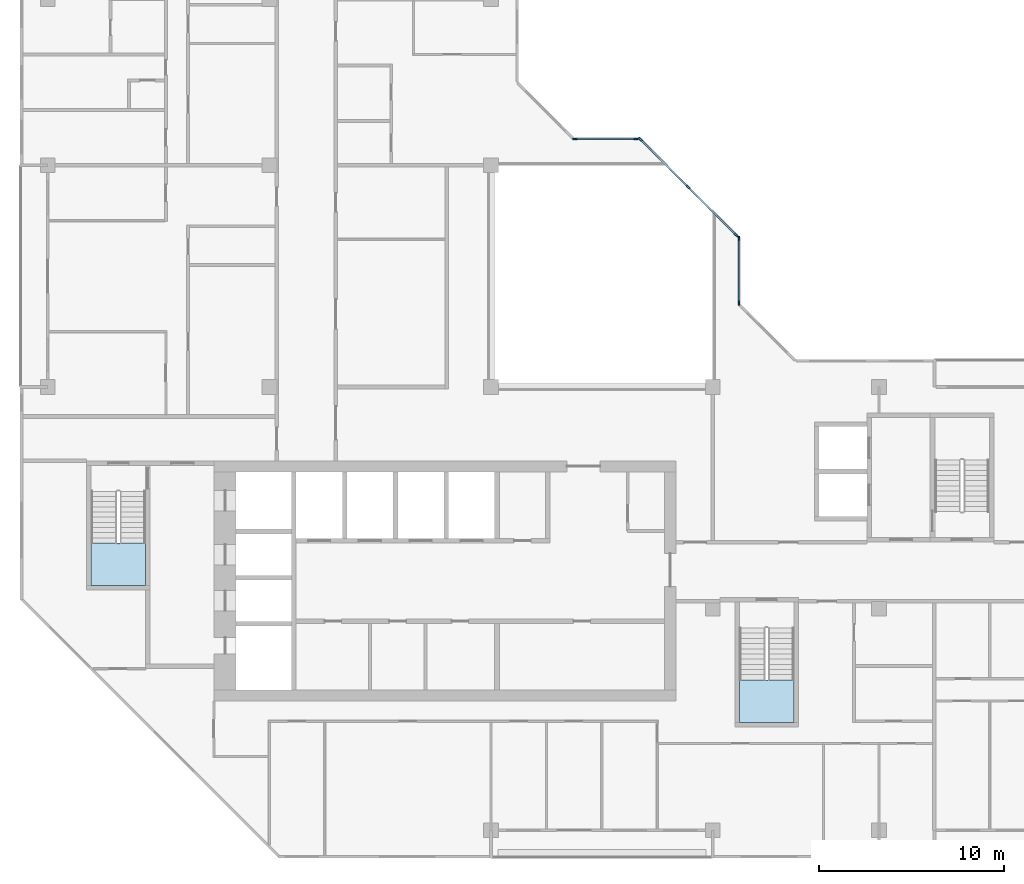
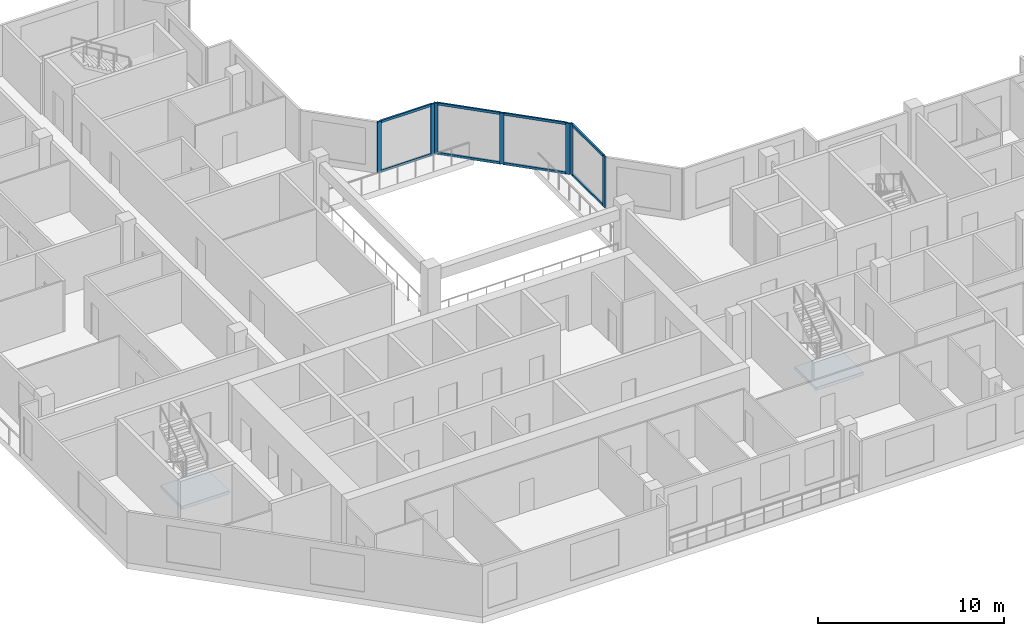
# One storey, part 2 of 13: 15 members, 2 slabs, 5 elements without a shape of their own.
"""IFC4 building model written with IfcOpenShell, lengths in metres."""

from ifc_helpers import new_model, si_unit, direction, frame, origin, origin_2d, place, context, subcontext, project, spatial, polyline, rectangle, outline, extrude, material, layer, layer_set, material_profile, profile_set, type_object, element, aggregate, save


model = new_model("IFC4")

# Units and contexts
model_context = context("Model", 3, precision=1e-05, world=origin(), true_north=direction((0.0, 1.0)))
body_context = subcontext(model_context, "Body", "Model", "MODEL_VIEW")
ifc_project = project(units=[si_unit("LENGTHUNIT", "METRE"), si_unit("AREAUNIT", "SQUARE_METRE"), si_unit("VOLUMEUNIT", "CUBIC_METRE"), si_unit("PLANEANGLEUNIT", "RADIAN"), si_unit("MASSUNIT", "GRAM", prefix="KILO")], contexts=[model_context])

# Site, building, storey
site_placement = place(None, origin())
site = spatial("IfcSite", under=ifc_project, at=site_placement, CompositionType="ELEMENT")
building_placement = place(site_placement, origin())
building = spatial("IfcBuilding", under=site, at=building_placement, Name="Chenar Terraces", CompositionType="ELEMENT")
storey_placement = place(building_placement, frame((0.0, 0.0, 292.14990234375)))
storey = spatial("IfcBuildingStorey", under=building, at=storey_placement, Name="L68", CompositionType="ELEMENT", Elevation=292.14990234375)

# Curtain wall, members
ifc_material_1 = material(Name="Aluminium framed glazing", Category="aluminium")
ifc_layer_1 = layer(ifc_material_1, 0.14990234375)
ifc_layer_set_1 = layer_set([ifc_layer_1], Name="Aluminium framed glazing")
curtain_wall_type = type_object("IfcCurtainWallType", Name="Atrium upper-zone curtain wall", PredefinedType="NOTDEFINED", material=ifc_layer_set_1)
placement_1 = place(storey_placement, origin())
curtain_wall_1 = element("IfcCurtainWall", 1, at=placement_1, inside=storey, type_object=curtain_wall_type, Name="Atrium upper-zone curtain wall", PredefinedType="NOTDEFINED")
ifc_material_2 = material(Name="Aluminium", Category="aluminium")
ifc_material_profile_1 = material_profile(ifc_material_2, rectangle(XDim=0.10009765625, YDim=0.239990234375, at=origin_2d()), Name="Atrium upper-zone glazing mullion 100 x 240")
ifc_profile_set_1 = profile_set([ifc_material_profile_1], Name="Aluminium")
member_type_1 = type_object("IfcMemberType", Name="Atrium upper-zone glazing mullion 100 x 240", PredefinedType="MULLION", material=ifc_profile_set_1)
member_1_placement = place(storey_placement, frame((37.425048828125, 28.550048828125, 0.0), z_axis=(0.0, 0.0, 1.0), x_axis=(-1.0, 0.0, 0.0)))
member_1 = element("IfcMember", 2, at=member_1_placement, type_object=member_type_1, Name="CW8-1 mullion 1", PredefinedType="MULLION", context=body_context, shape_type="SweptSolid", body=[
    extrude(rectangle(XDim=0.10009765625, YDim=0.239990234375, at=origin_2d()), origin(), (0.0, 0.0, 1.0), 3.35009765625),
])
member_2_placement = place(storey_placement, frame((37.425048828125, 32.050048828125, 0.0), z_axis=(0.0, 0.0, 1.0), x_axis=(-1.0, 0.0, 0.0)))
member_2 = element("IfcMember", 3, at=member_2_placement, type_object=member_type_1, Name="CW8-1 mullion 2", PredefinedType="MULLION", context=body_context, shape_type="SweptSolid", body=[
    extrude(rectangle(XDim=0.10009765625, YDim=0.239990234375, at=origin_2d()), origin(), (0.0, 0.0, 1.0), 3.35009765625),
])

curtain_wall_2 = element("IfcCurtainWall", 4, at=placement_1, inside=storey, type_object=curtain_wall_type, Name="Atrium upper-zone curtain wall", PredefinedType="NOTDEFINED")
member_3_placement = place(storey_placement, frame((37.270263671875, 32.2236328125, 0.0), z_axis=(0.0, 0.0, 1.0), x_axis=(-0.707106781187, -0.707106781187, 0.0)))
member_3 = element("IfcMember", 5, at=member_3_placement, type_object=member_type_1, Name="CW8-2 mullion 1", PredefinedType="MULLION", context=body_context, shape_type="SweptSolid", body=[
    extrude(rectangle(XDim=0.10009765625, YDim=0.239990234375, at=origin_2d()), origin(), (0.0, 0.0, 1.0), 3.35009765625),
])
member_4_placement = place(storey_placement, frame((34.67626953125, 34.817626953125, 0.0), z_axis=(0.0, 0.0, 1.0), x_axis=(-0.707106781187, -0.707106781187, 0.0)))
member_4 = element("IfcMember", 6, at=member_4_placement, type_object=member_type_1, Name="CW8-2 mullion 2", PredefinedType="MULLION", context=body_context, shape_type="SweptSolid", body=[
    extrude(rectangle(XDim=0.10009765625, YDim=0.239990234375, at=origin_2d()), origin(), (0.0, 0.0, 1.0), 3.35009765625),
])
member_5_placement = place(storey_placement, frame((32.082275390625, 37.41162109375, 0.0), z_axis=(0.0, 0.0, 1.0), x_axis=(-0.707106781187, -0.707106781187, 0.0)))
member_5 = element("IfcMember", 7, at=member_5_placement, type_object=member_type_1, Name="CW8-2 mullion 3", PredefinedType="MULLION", context=body_context, shape_type="SweptSolid", body=[
    extrude(rectangle(XDim=0.10009765625, YDim=0.239990234375, at=origin_2d()), origin(), (0.0, 0.0, 1.0), 3.35009765625),
])

curtain_wall_3 = element("IfcCurtainWall", 8, at=placement_1, inside=storey, type_object=curtain_wall_type, Name="Atrium upper-zone curtain wall", PredefinedType="NOTDEFINED")
member_6_placement = place(storey_placement, frame((31.85009765625, 37.425048828125, 0.0), z_axis=(0.0, 0.0, 1.0), x_axis=(0.0, -1.0, 0.0)))
member_6 = element("IfcMember", 9, at=member_6_placement, type_object=member_type_1, Name="CW8-3 mullion 1", PredefinedType="MULLION", context=body_context, shape_type="SweptSolid", body=[
    extrude(rectangle(XDim=0.10009765625, YDim=0.239990234375, at=origin_2d()), origin(), (0.0, 0.0, 1.0), 3.35009765625),
])
member_7_placement = place(storey_placement, frame((28.550048828125, 37.425048828125, 0.0), z_axis=(0.0, 0.0, 1.0), x_axis=(0.0, -1.0, 0.0)))
member_7 = element("IfcMember", 10, at=member_7_placement, type_object=member_type_1, Name="CW8-3 mullion 2", PredefinedType="MULLION", context=body_context, shape_type="SweptSolid", body=[
    extrude(rectangle(XDim=0.10009765625, YDim=0.239990234375, at=origin_2d()), origin(), (0.0, 0.0, 1.0), 3.35009765625),
])

# Member
ifc_material_3 = material(Name="Aluminium", Category="aluminium")
ifc_material_profile_2 = material_profile(ifc_material_3, rectangle(XDim=0.10009765625, YDim=0.159912109375, at=origin_2d()), Name="Atrium upper-zone glazing transom 100 x 160")
ifc_profile_set_2 = profile_set([ifc_material_profile_2], Name="Aluminium")
member_type_2 = type_object("IfcMemberType", Name="Atrium upper-zone glazing transom 100 x 160", PredefinedType="USERDEFINED", material=ifc_profile_set_2)
member_8_placement = place(storey_placement, frame((37.425048828125, 28.60009765625, 0.050048828125), z_axis=(0.0, 1.0, 0.0), x_axis=(-1.0, 0.0, 0.0)))
member_8 = element("IfcMember", 11, at=member_8_placement, type_object=member_type_2, Name="CW8-1 transom 1.1", ObjectType="TRANSOM", PredefinedType="USERDEFINED", context=body_context, shape_type="SweptSolid", body=[
    extrude(rectangle(XDim=0.10009765625, YDim=0.159912109375, at=origin_2d()), origin(), (0.0, 0.0, 1.0), 3.39990234375),
])

member_9_placement = place(storey_placement, frame((37.425048828125, 28.60009765625, 3.300048828125), z_axis=(0.0, 1.0, 0.0), x_axis=(-1.0, 0.0, 0.0)))
member_9 = element("IfcMember", 12, at=member_9_placement, type_object=member_type_2, Name="CW8-1 transom 1.2", ObjectType="TRANSOM", PredefinedType="USERDEFINED", context=body_context, shape_type="SweptSolid", body=[
    extrude(rectangle(XDim=0.10009765625, YDim=0.159912109375, at=origin_2d()), origin(), (0.0, 0.0, 1.0), 3.39990234375),
])

aggregate(curtain_wall_1, [member_1, member_2, member_8, member_9])

member_10_placement = place(storey_placement, frame((37.23486328125, 32.259033203125, 0.050048828125), z_axis=(-0.707106781187, 0.707106781187, 0.0), x_axis=(-0.707106781187, -0.707106781187, 0.0)))
member_10 = element("IfcMember", 13, at=member_10_placement, type_object=member_type_2, Name="CW8-2 transom 1.1", ObjectType="TRANSOM", PredefinedType="USERDEFINED", context=body_context, shape_type="SweptSolid", body=[
    extrude(rectangle(XDim=0.10009765625, YDim=0.159912109375, at=origin_2d()), origin(), (0.0, 0.0, 1.0), 3.568359375),
])

member_11_placement = place(storey_placement, frame((37.23486328125, 32.259033203125, 3.300048828125), z_axis=(-0.707106781187, 0.707106781187, 0.0), x_axis=(-0.707106781187, -0.707106781187, 0.0)))
member_11 = element("IfcMember", 14, at=member_11_placement, type_object=member_type_2, Name="CW8-2 transom 1.2", ObjectType="TRANSOM", PredefinedType="USERDEFINED", context=body_context, shape_type="SweptSolid", body=[
    extrude(rectangle(XDim=0.10009765625, YDim=0.159912109375, at=origin_2d()), origin(), (0.0, 0.0, 1.0), 3.568359375),
])

member_12_placement = place(storey_placement, frame((34.640869140625, 34.85302734375, 0.050048828125), z_axis=(-0.707106781187, 0.707106781187, 0.0), x_axis=(-0.707106781187, -0.707106781187, 0.0)))
member_12 = element("IfcMember", 15, at=member_12_placement, type_object=member_type_2, Name="CW8-2 transom 2.1", ObjectType="TRANSOM", PredefinedType="USERDEFINED", context=body_context, shape_type="SweptSolid", body=[
    extrude(rectangle(XDim=0.10009765625, YDim=0.159912109375, at=origin_2d()), origin(), (0.0, 0.0, 1.0), 3.568359375),
])

member_13_placement = place(storey_placement, frame((34.640869140625, 34.85302734375, 3.300048828125), z_axis=(-0.707106781187, 0.707106781187, 0.0), x_axis=(-0.707106781187, -0.707106781187, 0.0)))
member_13 = element("IfcMember", 16, at=member_13_placement, type_object=member_type_2, Name="CW8-2 transom 2.2", ObjectType="TRANSOM", PredefinedType="USERDEFINED", context=body_context, shape_type="SweptSolid", body=[
    extrude(rectangle(XDim=0.10009765625, YDim=0.159912109375, at=origin_2d()), origin(), (0.0, 0.0, 1.0), 3.568359375),
])

aggregate(curtain_wall_2, [member_3, member_4, member_5, member_10, member_11, member_12, member_13])

member_14_placement = place(storey_placement, frame((31.800048828125, 37.425048828125, 0.050048828125), z_axis=(-1.0, 0.0, 0.0), x_axis=(0.0, -1.0, 0.0)))
member_14 = element("IfcMember", 17, at=member_14_placement, type_object=member_type_2, Name="CW8-3 transom 1.1", ObjectType="TRANSOM", PredefinedType="USERDEFINED", context=body_context, shape_type="SweptSolid", body=[
    extrude(rectangle(XDim=0.10009765625, YDim=0.159912109375, at=origin_2d()), origin(), (0.0, 0.0, 1.0), 3.199951171875),
])

member_15_placement = place(storey_placement, frame((31.800048828125, 37.425048828125, 3.300048828125), z_axis=(-1.0, 0.0, 0.0), x_axis=(0.0, -1.0, 0.0)))
member_15 = element("IfcMember", 18, at=member_15_placement, type_object=member_type_2, Name="CW8-3 transom 1.2", ObjectType="TRANSOM", PredefinedType="USERDEFINED", context=body_context, shape_type="SweptSolid", body=[
    extrude(rectangle(XDim=0.10009765625, YDim=0.159912109375, at=origin_2d()), origin(), (0.0, 0.0, 1.0), 3.199951171875),
])

aggregate(curtain_wall_3, [member_6, member_7, member_14, member_15])

# Stair, slab
ifc_material_4 = material(Name="Reinforced concrete C40/50", Category="concrete")
stair_type = type_object("IfcStairType", Name="Core stair 1400 half-turn", PredefinedType="HALF_TURN_STAIR", material=ifc_material_4)
stair_1 = element("IfcStair", 19, at=placement_1, inside=storey, type_object=stair_type, Name="L68 Stair 1", PredefinedType="HALF_TURN_STAIR")
ifc_material_5 = material(Name="Reinforced concrete C40/50", Category="concrete")
ifc_layer_2 = layer(ifc_material_5, 0.199951171875)
ifc_layer_set_2 = layer_set([ifc_layer_2], Name="Reinforced concrete C40/50")
slab_type = type_object("IfcSlabType", Name="Core stair landing 200", PredefinedType="LANDING", material=ifc_layer_set_2)
placement_2 = place(storey_placement, frame((0.0, 0.0, 1.675048828125)))
slab_1 = element("IfcSlab", 20, at=placement_2, type_object=slab_type, Name="ST1 landing 1", PredefinedType="LANDING", context=body_context, shape_type="SweptSolid", body=[
    extrude(outline(polyline([(2.35009765625, 15.550048828125), (2.35009765625, 13.25), (5.300048828125, 13.25), (5.300048828125, 15.550048828125), (2.35009765625, 15.550048828125)])), origin(), (0.0, 0.0, 1.0), 0.199951171875),
])
aggregate(stair_1, [slab_1])

stair_2 = element("IfcStair", 21, at=placement_1, inside=storey, type_object=stair_type, Name="L68 Stair 2", PredefinedType="HALF_TURN_STAIR")
slab_2 = element("IfcSlab", 22, at=placement_2, type_object=slab_type, Name="ST2 landing 1", PredefinedType="LANDING", context=body_context, shape_type="SweptSolid", body=[
    extrude(outline(polyline([(37.449951171875, 8.14990234375), (37.449951171875, 5.85009765625), (40.39990234375, 5.85009765625), (40.39990234375, 8.14990234375), (37.449951171875, 8.14990234375)])), origin(), (0.0, 0.0, 1.0), 0.199951171875),
])
aggregate(stair_2, [slab_2])

save(model, "model.ifc")
